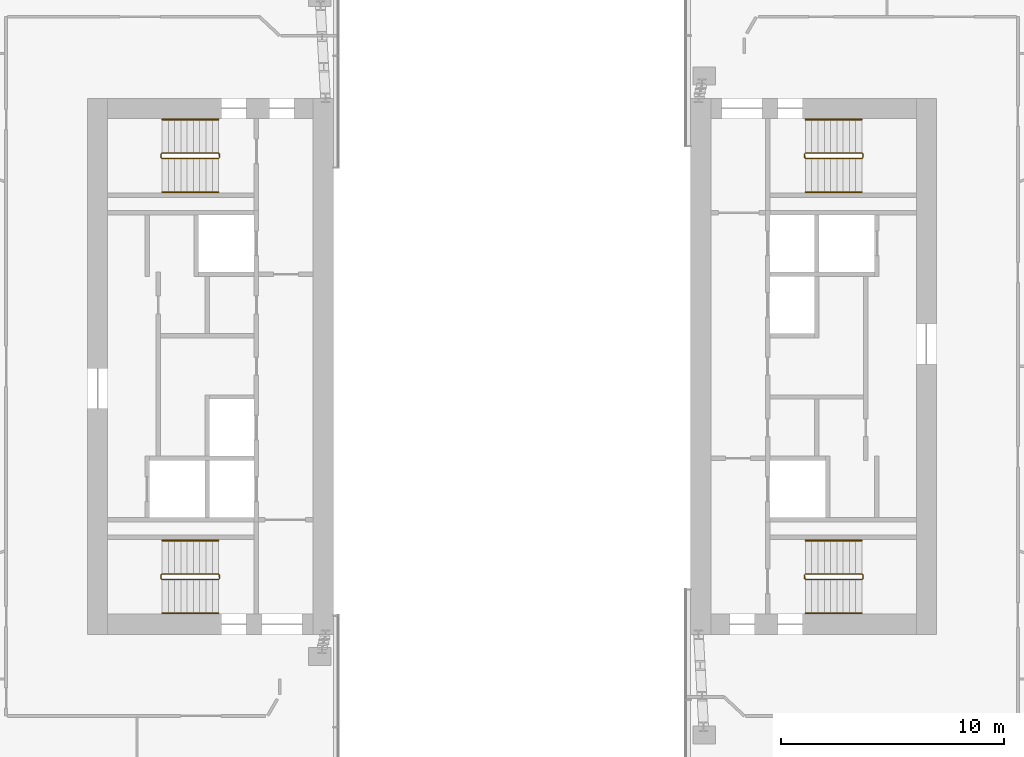
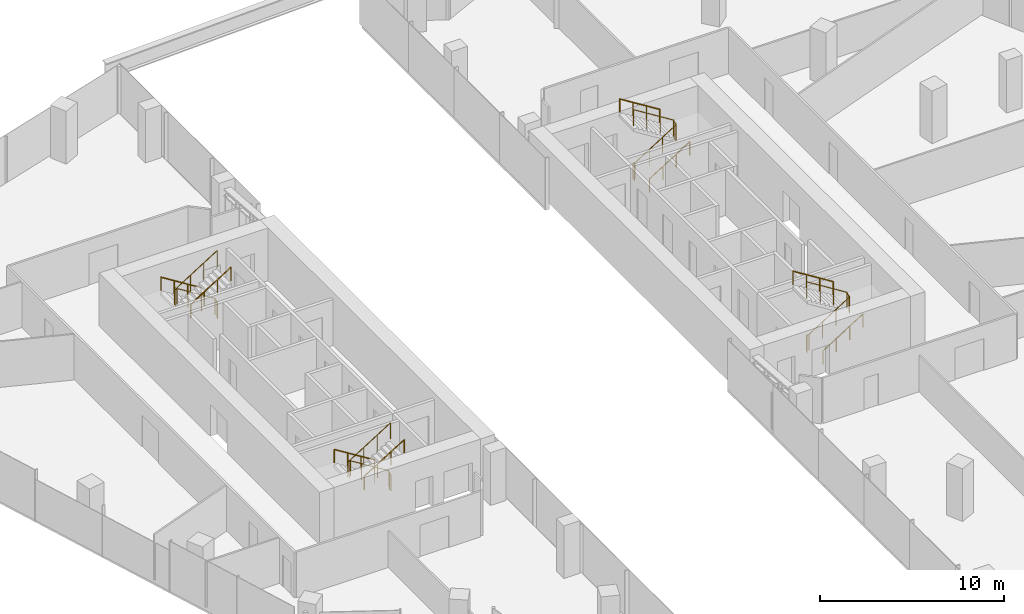
# One storey, part 23 of 24: 12 railings.
"""IFC4 building model written with IfcOpenShell, lengths in metres."""

from ifc_helpers import new_model, si_unit, direction, frame, origin, origin_2d, place, context, subcontext, project, spatial, circle, extrude, material, type_object, element, save


model = new_model("IFC4")

# Units and contexts
model_context = context("Model", 3, precision=1e-05, world=origin(), true_north=direction((0.0, 1.0)))
body_context = subcontext(model_context, "Body", "Model", "MODEL_VIEW")
ifc_project = project(units=[si_unit("LENGTHUNIT", "METRE"), si_unit("AREAUNIT", "SQUARE_METRE"), si_unit("VOLUMEUNIT", "CUBIC_METRE"), si_unit("PLANEANGLEUNIT", "RADIAN"), si_unit("MASSUNIT", "GRAM", prefix="KILO")], contexts=[model_context])

# Site, building, storey
site_placement = place(None, origin())
site = spatial("IfcSite", under=ifc_project, at=site_placement, CompositionType="ELEMENT")
building_placement = place(site_placement, origin())
building = spatial("IfcBuilding", under=site, at=building_placement, Name="Orlundy Tower", CompositionType="ELEMENT")
storey_placement = place(building_placement, frame((0.0, 0.0, 267.5)))
storey = spatial("IfcBuildingStorey", under=building, at=storey_placement, Name="L71", CompositionType="ELEMENT", Elevation=267.5)

# Railings
ifc_material_1 = material(Name="Steel balustrade", Category="steel")
railing_type_1 = type_object("IfcRailingType", Name="Stair Guard 1100", PredefinedType="GUARDRAIL", material=ifc_material_1)
railing_1_placement = place(storey_placement, frame((-13.090087890625, 9.5, 0.0)))
element("IfcRailing", 1, at=railing_1_placement, inside=storey, type_object=railing_type_1, Name="L71 ST-W1 stair guard 1", PredefinedType="GUARDRAIL", context=body_context, shape_type="SweptSolid", body=[
    extrude(circle(Radius=0.02392578125, at=origin_2d()), frame((0.0, 0.0, 1.076171875), z_axis=(0.0, -1.0, 0.0), x_axis=(1.0, 0.0, 0.0)), (0.0, 0.0, 1.0), 0.14990234375),
    extrude(circle(Radius=0.02392578125, at=origin_2d()), frame((0.0, -0.14990234375, 1.076171875), z_axis=(-0.18420542264, 0.739530593833, 0.647427882513), x_axis=(-0.970351222016, -0.241699205484, 0.0)), (0.0, 0.0, 1.0), 0.270263671875),
    extrude(circle(Radius=0.02392578125, at=origin_2d()), frame((-0.0498046875, 0.050048828125, 1.2509765625), z_axis=(-0.848007534815, 0.0, 0.529984170421), x_axis=(0.0, -1.0, 0.0)), (0.0, 0.0, 1.0), 2.9716796875),
    extrude(circle(Radius=0.02392578125, at=origin_2d()), frame((-2.56982421875, 0.050048828125, 2.826171875), z_axis=(-0.707106781187, -0.707106781187, 0.0), x_axis=(0.707106781187, -0.707106781187, 0.0)), (0.0, 0.0, 1.0), 0.07080078125),
    extrude(circle(Radius=0.02392578125, at=origin_2d()), frame((-2.619873046875, 0.0, 2.826171875), z_axis=(0.0, -1.0, 0.0), x_axis=(1.0, 0.0, 0.0)), (0.0, 0.0, 1.0), 0.14990234375),
    extrude(circle(Radius=0.02392578125, at=origin_2d()), frame((-2.619873046875, -0.14990234375, 2.826171875), z_axis=(0.265065253269, -0.265065253269, 0.927081885822), x_axis=(0.707106781187, 0.707106781187, 0.0)), (0.0, 0.0, 1.0), 0.188720703125),
    extrude(circle(Radius=0.02392578125, at=origin_2d()), frame((-2.56982421875, -0.199951171875, 3.0009765625), z_axis=(0.848007534815, 0.0, 0.529984170421), x_axis=(0.0, 1.0, 0.0)), (0.0, 0.0, 1.0), 2.9716796875),
    extrude(circle(Radius=0.02099609375, at=origin_2d()), origin(), (0.0, 0.0, 1.0), 1.052001953125),
    extrude(circle(Radius=0.02099609375, at=origin_2d()), frame((0.0, -0.14990234375, 0.0)), (0.0, 0.0, 1.0), 1.052001953125),
    extrude(circle(Radius=0.02099609375, at=origin_2d()), frame((-0.0498046875, 0.050048828125, 0.175048828125)), (0.0, 0.0, 1.0), 1.052001953125),
    extrude(circle(Radius=0.02099609375, at=origin_2d()), frame((-0.889892578125, 0.050048828125, 0.699951171875)), (0.0, 0.0, 1.0), 1.052001953125),
    extrude(circle(Radius=0.02099609375, at=origin_2d()), frame((-1.729736328125, 0.050048828125, 1.22509765625)), (0.0, 0.0, 1.0), 1.052001953125),
    extrude(circle(Radius=0.02099609375, at=origin_2d()), frame((-2.56982421875, 0.050048828125, 1.75)), (0.0, 0.0, 1.0), 1.052001953125),
    extrude(circle(Radius=0.02099609375, at=origin_2d()), frame((-2.619873046875, 0.0, 1.75)), (0.0, 0.0, 1.0), 1.052001953125),
    extrude(circle(Radius=0.02099609375, at=origin_2d()), frame((-2.619873046875, -0.14990234375, 1.75)), (0.0, 0.0, 1.0), 1.052001953125),
    extrude(circle(Radius=0.02099609375, at=origin_2d()), frame((-2.56982421875, -0.199951171875, 1.925048828125)), (0.0, 0.0, 1.0), 1.052001953125),
    extrude(circle(Radius=0.02099609375, at=origin_2d()), frame((-1.729736328125, -0.199951171875, 2.449951171875)), (0.0, 0.0, 1.0), 1.052001953125),
    extrude(circle(Radius=0.02099609375, at=origin_2d()), frame((-0.889892578125, -0.199951171875, 2.97509765625)), (0.0, 0.0, 1.0), 1.052001953125),
    extrude(circle(Radius=0.02099609375, at=origin_2d()), frame((-0.0498046875, -0.199951171875, 3.5)), (0.0, 0.0, 1.0), 1.052001953125),
])
railing_2_placement = place(storey_placement, frame((-13.090087890625, -9.35009765625, 0.0)))
element("IfcRailing", 2, at=railing_2_placement, inside=storey, type_object=railing_type_1, Name="L71 ST-W2 stair guard 1", PredefinedType="GUARDRAIL", context=body_context, shape_type="SweptSolid", body=[
    extrude(circle(Radius=0.02392578125, at=origin_2d()), frame((0.0, 0.0, 1.076171875), z_axis=(0.0, -1.0, 0.0), x_axis=(1.0, 0.0, 0.0)), (0.0, 0.0, 1.0), 0.14990234375),
    extrude(circle(Radius=0.02392578125, at=origin_2d()), frame((0.0, -0.14990234375, 1.076171875), z_axis=(-0.18420542264, 0.739530593833, 0.647427882513), x_axis=(-0.970351222016, -0.241699205484, 0.0)), (0.0, 0.0, 1.0), 0.270263671875),
    extrude(circle(Radius=0.02392578125, at=origin_2d()), frame((-0.0498046875, 0.050048828125, 1.2509765625), z_axis=(-0.848007534815, 0.0, 0.529984170421), x_axis=(0.0, -1.0, 0.0)), (0.0, 0.0, 1.0), 2.9716796875),
    extrude(circle(Radius=0.02392578125, at=origin_2d()), frame((-2.56982421875, 0.050048828125, 2.826171875), z_axis=(-0.707106781187, -0.707106781187, 0.0), x_axis=(0.707106781187, -0.707106781187, 0.0)), (0.0, 0.0, 1.0), 0.07080078125),
    extrude(circle(Radius=0.02392578125, at=origin_2d()), frame((-2.619873046875, 0.0, 2.826171875), z_axis=(0.0, -1.0, 0.0), x_axis=(1.0, 0.0, 0.0)), (0.0, 0.0, 1.0), 0.14990234375),
    extrude(circle(Radius=0.02392578125, at=origin_2d()), frame((-2.619873046875, -0.14990234375, 2.826171875), z_axis=(0.265065253269, -0.265065253269, 0.927081885822), x_axis=(0.707106781187, 0.707106781187, 0.0)), (0.0, 0.0, 1.0), 0.188720703125),
    extrude(circle(Radius=0.02392578125, at=origin_2d()), frame((-2.56982421875, -0.199951171875, 3.0009765625), z_axis=(0.848007534815, 0.0, 0.529984170421), x_axis=(0.0, 1.0, 0.0)), (0.0, 0.0, 1.0), 2.9716796875),
    extrude(circle(Radius=0.02099609375, at=origin_2d()), origin(), (0.0, 0.0, 1.0), 1.052001953125),
    extrude(circle(Radius=0.02099609375, at=origin_2d()), frame((0.0, -0.14990234375, 0.0)), (0.0, 0.0, 1.0), 1.052001953125),
    extrude(circle(Radius=0.02099609375, at=origin_2d()), frame((-0.0498046875, 0.050048828125, 0.175048828125)), (0.0, 0.0, 1.0), 1.052001953125),
    extrude(circle(Radius=0.02099609375, at=origin_2d()), frame((-0.889892578125, 0.050048828125, 0.699951171875)), (0.0, 0.0, 1.0), 1.052001953125),
    extrude(circle(Radius=0.02099609375, at=origin_2d()), frame((-1.729736328125, 0.050048828125, 1.22509765625)), (0.0, 0.0, 1.0), 1.052001953125),
    extrude(circle(Radius=0.02099609375, at=origin_2d()), frame((-2.56982421875, 0.050048828125, 1.75)), (0.0, 0.0, 1.0), 1.052001953125),
    extrude(circle(Radius=0.02099609375, at=origin_2d()), frame((-2.619873046875, 0.0, 1.75)), (0.0, 0.0, 1.0), 1.052001953125),
    extrude(circle(Radius=0.02099609375, at=origin_2d()), frame((-2.619873046875, -0.14990234375, 1.75)), (0.0, 0.0, 1.0), 1.052001953125),
    extrude(circle(Radius=0.02099609375, at=origin_2d()), frame((-2.56982421875, -0.199951171875, 1.925048828125)), (0.0, 0.0, 1.0), 1.052001953125),
    extrude(circle(Radius=0.02099609375, at=origin_2d()), frame((-1.729736328125, -0.199951171875, 2.449951171875)), (0.0, 0.0, 1.0), 1.052001953125),
    extrude(circle(Radius=0.02099609375, at=origin_2d()), frame((-0.889892578125, -0.199951171875, 2.97509765625)), (0.0, 0.0, 1.0), 1.052001953125),
    extrude(circle(Radius=0.02099609375, at=origin_2d()), frame((-0.0498046875, -0.199951171875, 3.5)), (0.0, 0.0, 1.0), 1.052001953125),
])
railing_3_placement = place(storey_placement, frame((13.090087890625, -9.5, 0.0)))
element("IfcRailing", 3, at=railing_3_placement, inside=storey, type_object=railing_type_1, Name="L71 ST-E1 stair guard 1", PredefinedType="GUARDRAIL", context=body_context, shape_type="SweptSolid", body=[
    extrude(circle(Radius=0.02392578125, at=origin_2d()), frame((0.0, 0.0, 1.076171875), z_axis=(0.0, 1.0, 0.0), x_axis=(-1.0, 0.0, 0.0)), (0.0, 0.0, 1.0), 0.14990234375),
    extrude(circle(Radius=0.02392578125, at=origin_2d()), frame((0.0, 0.14990234375, 1.076171875), z_axis=(0.18420542264, -0.739530593833, 0.647427882513), x_axis=(0.970351222016, 0.241699205484, 0.0)), (0.0, 0.0, 1.0), 0.270263671875),
    extrude(circle(Radius=0.02392578125, at=origin_2d()), frame((0.0498046875, -0.050048828125, 1.2509765625), z_axis=(0.848007534815, 0.0, 0.529984170421), x_axis=(0.0, 1.0, 0.0)), (0.0, 0.0, 1.0), 2.9716796875),
    extrude(circle(Radius=0.02392578125, at=origin_2d()), frame((2.56982421875, -0.050048828125, 2.826171875), z_axis=(0.707106781187, 0.707106781187, 0.0), x_axis=(-0.707106781187, 0.707106781187, 0.0)), (0.0, 0.0, 1.0), 0.07080078125),
    extrude(circle(Radius=0.02392578125, at=origin_2d()), frame((2.619873046875, 0.0, 2.826171875), z_axis=(0.0, 1.0, 0.0), x_axis=(-1.0, 0.0, 0.0)), (0.0, 0.0, 1.0), 0.14990234375),
    extrude(circle(Radius=0.02392578125, at=origin_2d()), frame((2.619873046875, 0.14990234375, 2.826171875), z_axis=(-0.265065253269, 0.265065253269, 0.927081885822), x_axis=(-0.707106781187, -0.707106781187, 0.0)), (0.0, 0.0, 1.0), 0.188720703125),
    extrude(circle(Radius=0.02392578125, at=origin_2d()), frame((2.56982421875, 0.199951171875, 3.0009765625), z_axis=(-0.848007534815, 0.0, 0.529984170421), x_axis=(0.0, -1.0, 0.0)), (0.0, 0.0, 1.0), 2.9716796875),
    extrude(circle(Radius=0.02099609375, at=origin_2d()), origin(), (0.0, 0.0, 1.0), 1.052001953125),
    extrude(circle(Radius=0.02099609375, at=origin_2d()), frame((0.0, 0.14990234375, 0.0)), (0.0, 0.0, 1.0), 1.052001953125),
    extrude(circle(Radius=0.02099609375, at=origin_2d()), frame((0.0498046875, -0.050048828125, 0.175048828125)), (0.0, 0.0, 1.0), 1.052001953125),
    extrude(circle(Radius=0.02099609375, at=origin_2d()), frame((0.889892578125, -0.050048828125, 0.699951171875)), (0.0, 0.0, 1.0), 1.052001953125),
    extrude(circle(Radius=0.02099609375, at=origin_2d()), frame((1.729736328125, -0.050048828125, 1.22509765625)), (0.0, 0.0, 1.0), 1.052001953125),
    extrude(circle(Radius=0.02099609375, at=origin_2d()), frame((2.56982421875, -0.050048828125, 1.75)), (0.0, 0.0, 1.0), 1.052001953125),
    extrude(circle(Radius=0.02099609375, at=origin_2d()), frame((2.619873046875, 0.0, 1.75)), (0.0, 0.0, 1.0), 1.052001953125),
    extrude(circle(Radius=0.02099609375, at=origin_2d()), frame((2.619873046875, 0.14990234375, 1.75)), (0.0, 0.0, 1.0), 1.052001953125),
    extrude(circle(Radius=0.02099609375, at=origin_2d()), frame((2.56982421875, 0.199951171875, 1.925048828125)), (0.0, 0.0, 1.0), 1.052001953125),
    extrude(circle(Radius=0.02099609375, at=origin_2d()), frame((1.729736328125, 0.199951171875, 2.449951171875)), (0.0, 0.0, 1.0), 1.052001953125),
    extrude(circle(Radius=0.02099609375, at=origin_2d()), frame((0.889892578125, 0.199951171875, 2.97509765625)), (0.0, 0.0, 1.0), 1.052001953125),
    extrude(circle(Radius=0.02099609375, at=origin_2d()), frame((0.0498046875, 0.199951171875, 3.5)), (0.0, 0.0, 1.0), 1.052001953125),
])
railing_4_placement = place(storey_placement, frame((13.090087890625, 9.35009765625, 0.0)))
element("IfcRailing", 4, at=railing_4_placement, inside=storey, type_object=railing_type_1, Name="L71 ST-E2 stair guard 1", PredefinedType="GUARDRAIL", context=body_context, shape_type="SweptSolid", body=[
    extrude(circle(Radius=0.02392578125, at=origin_2d()), frame((0.0, 0.0, 1.076171875), z_axis=(0.0, 1.0, 0.0), x_axis=(-1.0, 0.0, 0.0)), (0.0, 0.0, 1.0), 0.14990234375),
    extrude(circle(Radius=0.02392578125, at=origin_2d()), frame((0.0, 0.14990234375, 1.076171875), z_axis=(0.18420542264, -0.739530593833, 0.647427882513), x_axis=(0.970351222016, 0.241699205484, 0.0)), (0.0, 0.0, 1.0), 0.270263671875),
    extrude(circle(Radius=0.02392578125, at=origin_2d()), frame((0.0498046875, -0.050048828125, 1.2509765625), z_axis=(0.848007534815, 0.0, 0.529984170421), x_axis=(0.0, 1.0, 0.0)), (0.0, 0.0, 1.0), 2.9716796875),
    extrude(circle(Radius=0.02392578125, at=origin_2d()), frame((2.56982421875, -0.050048828125, 2.826171875), z_axis=(0.707106781187, 0.707106781187, 0.0), x_axis=(-0.707106781187, 0.707106781187, 0.0)), (0.0, 0.0, 1.0), 0.07080078125),
    extrude(circle(Radius=0.02392578125, at=origin_2d()), frame((2.619873046875, 0.0, 2.826171875), z_axis=(0.0, 1.0, 0.0), x_axis=(-1.0, 0.0, 0.0)), (0.0, 0.0, 1.0), 0.14990234375),
    extrude(circle(Radius=0.02392578125, at=origin_2d()), frame((2.619873046875, 0.14990234375, 2.826171875), z_axis=(-0.265065253269, 0.265065253269, 0.927081885822), x_axis=(-0.707106781187, -0.707106781187, 0.0)), (0.0, 0.0, 1.0), 0.188720703125),
    extrude(circle(Radius=0.02392578125, at=origin_2d()), frame((2.56982421875, 0.199951171875, 3.0009765625), z_axis=(-0.848007534815, 0.0, 0.529984170421), x_axis=(0.0, -1.0, 0.0)), (0.0, 0.0, 1.0), 2.9716796875),
    extrude(circle(Radius=0.02099609375, at=origin_2d()), origin(), (0.0, 0.0, 1.0), 1.052001953125),
    extrude(circle(Radius=0.02099609375, at=origin_2d()), frame((0.0, 0.14990234375, 0.0)), (0.0, 0.0, 1.0), 1.052001953125),
    extrude(circle(Radius=0.02099609375, at=origin_2d()), frame((0.0498046875, -0.050048828125, 0.175048828125)), (0.0, 0.0, 1.0), 1.052001953125),
    extrude(circle(Radius=0.02099609375, at=origin_2d()), frame((0.889892578125, -0.050048828125, 0.699951171875)), (0.0, 0.0, 1.0), 1.052001953125),
    extrude(circle(Radius=0.02099609375, at=origin_2d()), frame((1.729736328125, -0.050048828125, 1.22509765625)), (0.0, 0.0, 1.0), 1.052001953125),
    extrude(circle(Radius=0.02099609375, at=origin_2d()), frame((2.56982421875, -0.050048828125, 1.75)), (0.0, 0.0, 1.0), 1.052001953125),
    extrude(circle(Radius=0.02099609375, at=origin_2d()), frame((2.619873046875, 0.0, 1.75)), (0.0, 0.0, 1.0), 1.052001953125),
    extrude(circle(Radius=0.02099609375, at=origin_2d()), frame((2.619873046875, 0.14990234375, 1.75)), (0.0, 0.0, 1.0), 1.052001953125),
    extrude(circle(Radius=0.02099609375, at=origin_2d()), frame((2.56982421875, 0.199951171875, 1.925048828125)), (0.0, 0.0, 1.0), 1.052001953125),
    extrude(circle(Radius=0.02099609375, at=origin_2d()), frame((1.729736328125, 0.199951171875, 2.449951171875)), (0.0, 0.0, 1.0), 1.052001953125),
    extrude(circle(Radius=0.02099609375, at=origin_2d()), frame((0.889892578125, 0.199951171875, 2.97509765625)), (0.0, 0.0, 1.0), 1.052001953125),
    extrude(circle(Radius=0.02099609375, at=origin_2d()), frame((0.0498046875, 0.199951171875, 3.5)), (0.0, 0.0, 1.0), 1.052001953125),
])
ifc_material_2 = material(Name="Steel handrail", Category="steel")
railing_type_2 = type_object("IfcRailingType", Name="Stair Handrail 900", PredefinedType="HANDRAIL", material=ifc_material_2)
railing_5_placement = place(storey_placement, frame((-13.139892578125, 11.050048828125, 0.175048828125)))
element("IfcRailing", 5, at=railing_5_placement, inside=storey, type_object=railing_type_2, Name="L71 ST-W1 stair handrail 1", PredefinedType="HANDRAIL", context=body_context, shape_type="SweptSolid", body=[
    extrude(circle(Radius=0.02392578125, at=origin_2d()), frame((0.0, 0.0, 0.8759765625), z_axis=(-0.848007534815, 0.0, 0.529984170421), x_axis=(0.0, -1.0, 0.0)), (0.0, 0.0, 1.0), 2.9716796875),
    extrude(circle(Radius=0.02099609375, at=origin_2d()), origin(), (0.0, 0.0, 1.0), 0.851806640625),
    extrude(circle(Radius=0.02099609375, at=origin_2d()), frame((-0.840087890625, 0.0, 0.52490234375)), (0.0, 0.0, 1.0), 0.851806640625),
    extrude(circle(Radius=0.02099609375, at=origin_2d()), frame((-1.679931640625, 0.0, 1.050048828125)), (0.0, 0.0, 1.0), 0.851806640625),
    extrude(circle(Radius=0.02099609375, at=origin_2d()), frame((-2.52001953125, 0.0, 1.574951171875)), (0.0, 0.0, 1.0), 0.851806640625),
])
railing_6_placement = place(storey_placement, frame((-15.659912109375, 7.800048828125, 1.925048828125)))
element("IfcRailing", 6, at=railing_6_placement, inside=storey, type_object=railing_type_2, Name="L71 ST-W1 stair handrail 2", PredefinedType="HANDRAIL", context=body_context, shape_type="SweptSolid", body=[
    extrude(circle(Radius=0.02392578125, at=origin_2d()), frame((0.0, 0.0, 0.8759765625), z_axis=(0.848007534815, 0.0, 0.529984170421), x_axis=(0.0, 1.0, 0.0)), (0.0, 0.0, 1.0), 2.9716796875),
    extrude(circle(Radius=0.02099609375, at=origin_2d()), origin(), (0.0, 0.0, 1.0), 0.851806640625),
    extrude(circle(Radius=0.02099609375, at=origin_2d()), frame((0.840087890625, 0.0, 0.52490234375)), (0.0, 0.0, 1.0), 0.851806640625),
    extrude(circle(Radius=0.02099609375, at=origin_2d()), frame((1.679931640625, 0.0, 1.050048828125)), (0.0, 0.0, 1.0), 0.851806640625),
    extrude(circle(Radius=0.02099609375, at=origin_2d()), frame((2.52001953125, 0.0, 1.574951171875)), (0.0, 0.0, 1.0), 0.851806640625),
])
railing_7_placement = place(storey_placement, frame((-13.139892578125, -7.800048828125, 0.175048828125)))
element("IfcRailing", 7, at=railing_7_placement, inside=storey, type_object=railing_type_2, Name="L71 ST-W2 stair handrail 1", PredefinedType="HANDRAIL", context=body_context, shape_type="SweptSolid", body=[
    extrude(circle(Radius=0.02392578125, at=origin_2d()), frame((0.0, 0.0, 0.8759765625), z_axis=(-0.848007534815, 0.0, 0.529984170421), x_axis=(0.0, -1.0, 0.0)), (0.0, 0.0, 1.0), 2.9716796875),
    extrude(circle(Radius=0.02099609375, at=origin_2d()), origin(), (0.0, 0.0, 1.0), 0.851806640625),
    extrude(circle(Radius=0.02099609375, at=origin_2d()), frame((-0.840087890625, 0.0, 0.52490234375)), (0.0, 0.0, 1.0), 0.851806640625),
    extrude(circle(Radius=0.02099609375, at=origin_2d()), frame((-1.679931640625, 0.0, 1.050048828125)), (0.0, 0.0, 1.0), 0.851806640625),
    extrude(circle(Radius=0.02099609375, at=origin_2d()), frame((-2.52001953125, 0.0, 1.574951171875)), (0.0, 0.0, 1.0), 0.851806640625),
])
for number, where, name in (
    (8, (-15.659912109375, -11.050048828125, 1.925048828125), "L71 ST-W2 stair handrail 2"),
    (9, (13.139892578125, -11.050048828125, 0.175048828125), "L71 ST-E1 stair handrail 1"),
):
    element("IfcRailing", number, at=place(storey_placement, frame(where)), inside=storey, type_object=railing_type_2, Name=name, PredefinedType="HANDRAIL", context=body_context, shape_type="SweptSolid", body=[
        extrude(circle(Radius=0.02392578125, at=origin_2d()), frame((0.0, 0.0, 0.8759765625), z_axis=(0.848007534815, 0.0, 0.529984170421), x_axis=(0.0, 1.0, 0.0)), (0.0, 0.0, 1.0), 2.9716796875),
        extrude(circle(Radius=0.02099609375, at=origin_2d()), origin(), (0.0, 0.0, 1.0), 0.851806640625),
        extrude(circle(Radius=0.02099609375, at=origin_2d()), frame((0.840087890625, 0.0, 0.52490234375)), (0.0, 0.0, 1.0), 0.851806640625),
        extrude(circle(Radius=0.02099609375, at=origin_2d()), frame((1.679931640625, 0.0, 1.050048828125)), (0.0, 0.0, 1.0), 0.851806640625),
        extrude(circle(Radius=0.02099609375, at=origin_2d()), frame((2.52001953125, 0.0, 1.574951171875)), (0.0, 0.0, 1.0), 0.851806640625),
    ])
railing_8_placement = place(storey_placement, frame((15.659912109375, -7.800048828125, 1.925048828125)))
element("IfcRailing", 10, at=railing_8_placement, inside=storey, type_object=railing_type_2, Name="L71 ST-E1 stair handrail 2", PredefinedType="HANDRAIL", context=body_context, shape_type="SweptSolid", body=[
    extrude(circle(Radius=0.02392578125, at=origin_2d()), frame((0.0, 0.0, 0.8759765625), z_axis=(-0.848007534815, 0.0, 0.529984170421), x_axis=(0.0, -1.0, 0.0)), (0.0, 0.0, 1.0), 2.9716796875),
    extrude(circle(Radius=0.02099609375, at=origin_2d()), origin(), (0.0, 0.0, 1.0), 0.851806640625),
    extrude(circle(Radius=0.02099609375, at=origin_2d()), frame((-0.840087890625, 0.0, 0.52490234375)), (0.0, 0.0, 1.0), 0.851806640625),
    extrude(circle(Radius=0.02099609375, at=origin_2d()), frame((-1.679931640625, 0.0, 1.050048828125)), (0.0, 0.0, 1.0), 0.851806640625),
    extrude(circle(Radius=0.02099609375, at=origin_2d()), frame((-2.52001953125, 0.0, 1.574951171875)), (0.0, 0.0, 1.0), 0.851806640625),
])
railing_9_placement = place(storey_placement, frame((13.139892578125, 7.800048828125, 0.175048828125)))
element("IfcRailing", 11, at=railing_9_placement, inside=storey, type_object=railing_type_2, Name="L71 ST-E2 stair handrail 1", PredefinedType="HANDRAIL", context=body_context, shape_type="SweptSolid", body=[
    extrude(circle(Radius=0.02392578125, at=origin_2d()), frame((0.0, 0.0, 0.8759765625), z_axis=(0.848007534815, 0.0, 0.529984170421), x_axis=(0.0, 1.0, 0.0)), (0.0, 0.0, 1.0), 2.9716796875),
    extrude(circle(Radius=0.02099609375, at=origin_2d()), origin(), (0.0, 0.0, 1.0), 0.851806640625),
    extrude(circle(Radius=0.02099609375, at=origin_2d()), frame((0.840087890625, 0.0, 0.52490234375)), (0.0, 0.0, 1.0), 0.851806640625),
    extrude(circle(Radius=0.02099609375, at=origin_2d()), frame((1.679931640625, 0.0, 1.050048828125)), (0.0, 0.0, 1.0), 0.851806640625),
    extrude(circle(Radius=0.02099609375, at=origin_2d()), frame((2.52001953125, 0.0, 1.574951171875)), (0.0, 0.0, 1.0), 0.851806640625),
])
railing_10_placement = place(storey_placement, frame((15.659912109375, 11.050048828125, 1.925048828125)))
element("IfcRailing", 12, at=railing_10_placement, inside=storey, type_object=railing_type_2, Name="L71 ST-E2 stair handrail 2", PredefinedType="HANDRAIL", context=body_context, shape_type="SweptSolid", body=[
    extrude(circle(Radius=0.02392578125, at=origin_2d()), frame((0.0, 0.0, 0.8759765625), z_axis=(-0.848007534815, 0.0, 0.529984170421), x_axis=(0.0, -1.0, 0.0)), (0.0, 0.0, 1.0), 2.9716796875),
    extrude(circle(Radius=0.02099609375, at=origin_2d()), origin(), (0.0, 0.0, 1.0), 0.851806640625),
    extrude(circle(Radius=0.02099609375, at=origin_2d()), frame((-0.840087890625, 0.0, 0.52490234375)), (0.0, 0.0, 1.0), 0.851806640625),
    extrude(circle(Radius=0.02099609375, at=origin_2d()), frame((-1.679931640625, 0.0, 1.050048828125)), (0.0, 0.0, 1.0), 0.851806640625),
    extrude(circle(Radius=0.02099609375, at=origin_2d()), frame((-2.52001953125, 0.0, 1.574951171875)), (0.0, 0.0, 1.0), 0.851806640625),
])

save(model, "model.ifc")
